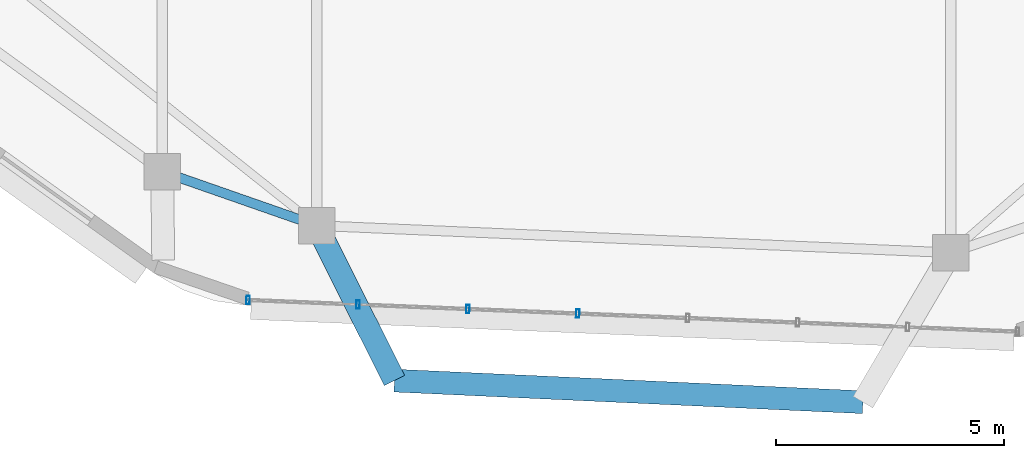
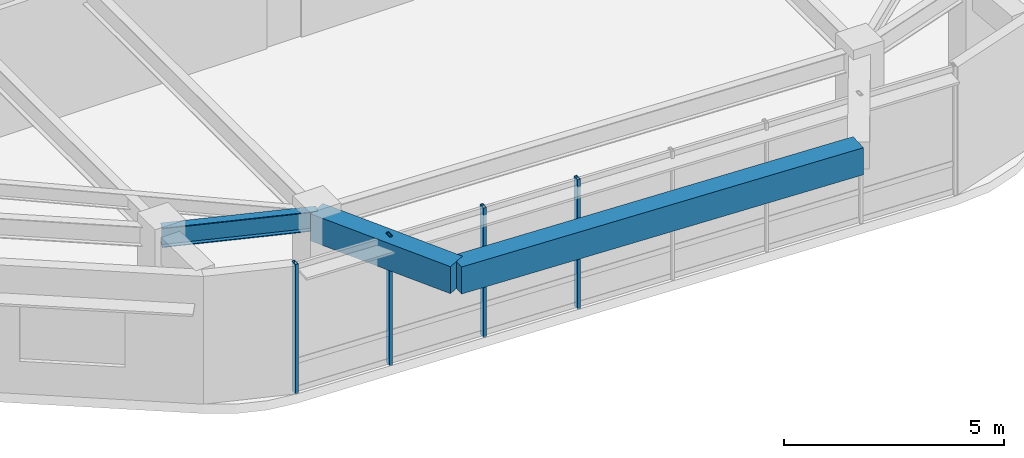
# One storey, part 2 of 13: 4 members, 3 beams, 1 element without a shape of its own.
"""IFC4 building model written with IfcOpenShell, lengths in metres."""

from ifc_helpers import new_model, si_unit, direction, frame, origin, origin_2d, place, context, subcontext, project, spatial, rectangle, hollow_rectangle, i_section, extrude, material, material_profile, profile_set, type_object, element, aggregate, save


model = new_model("IFC4")

# Units and contexts
model_context = context("Model", 3, precision=1e-05, world=origin(), true_north=direction((0.0, 1.0)))
body_context = subcontext(model_context, "Body", "Model", "MODEL_VIEW")
ifc_project = project(units=[si_unit("LENGTHUNIT", "METRE"), si_unit("AREAUNIT", "SQUARE_METRE"), si_unit("VOLUMEUNIT", "CUBIC_METRE"), si_unit("PLANEANGLEUNIT", "RADIAN"), si_unit("MASSUNIT", "GRAM", prefix="KILO")], contexts=[model_context])

# Site, building, storey
site_placement = place(None, origin())
site = spatial("IfcSite", under=ifc_project, at=site_placement, CompositionType="ELEMENT")
building_placement = place(site_placement, origin())
building = spatial("IfcBuilding", under=site, at=building_placement, Name="Zulverin Broadcast Headquarters", CompositionType="ELEMENT")
storey_placement = place(building_placement, frame((0.0, 0.0, 278.199951171875)))
storey = spatial("IfcBuildingStorey", under=building, at=storey_placement, Name="L71", CompositionType="ELEMENT", Elevation=278.199951171875)

# Beams
ifc_material_1 = material(Name="Concrete C40/50", Category="concrete")
ifc_material_profile_1 = material_profile(ifc_material_1, rectangle(XDim=0.5, YDim=0.75, at=origin_2d()), Name="Concrete C40/50", Category="concrete")
ifc_profile_set_1 = profile_set([ifc_material_profile_1], Name="Concrete C40/50")
beam_type_1 = type_object("IfcBeamType", Name="BM-RC-500x750", PredefinedType="BEAM", material=ifc_profile_set_1)
beam_1_placement = place(storey_placement, frame((30.93359375, 4.703125, 3.1650390625), z_axis=(0.448138545503, -0.893964117868, 0.0), x_axis=(0.893964117868, 0.448138545503, 0.0)))
element("IfcBeam", 1, at=beam_1_placement, inside=storey, type_object=beam_type_1, Name="L72 Balcony Column-Framed Cantilever BAL_S-1", PredefinedType="BEAM", context=body_context, shape_type="SweptSolid", body=[
    extrude(rectangle(XDim=0.5, YDim=0.75, at=origin_2d()), origin(), (0.0, 0.0, 1.0), 3.7998046875),
])
beam_2_placement = place(storey_placement, frame((32.636474609375, 1.30615234375, 3.1650390625), z_axis=(0.998939184183, -0.046048955518, 0.0), x_axis=(0.046048955518, 0.998939184183, 0.0)))
element("IfcBeam", 2, at=beam_2_placement, inside=storey, type_object=beam_type_1, Name="L72 Balcony Outer Edge Trimmer Beam BAL_S", PredefinedType="BEAM", context=body_context, shape_type="SweptSolid", body=[
    extrude(rectangle(XDim=0.5, YDim=0.75, at=origin_2d()), origin(), (0.0, 0.0, 1.0), 10.27490234375),
])
ifc_material_2 = material(Name="Structural steel S355JR", Category="steel")
ifc_material_profile_2 = material_profile(ifc_material_2, i_section(OverallWidth=0.2119140625, OverallDepth=0.54443359375, WebThickness=0.0126953125, FlangeThickness=0.021240234375, at=origin_2d()), Name="Structural steel S355JR", Category="steel")
ifc_profile_set_2 = profile_set([ifc_material_profile_2], Name="Structural steel S355JR")
beam_type_2 = type_object("IfcBeamType", Name="BM-UB-533", PredefinedType="SPANDREL", material=ifc_profile_set_2)
beam_3_placement = place(storey_placement, frame((27.54541015625, 5.8857421875, 3.267822265625), z_axis=(0.944140138036, -0.329544230339, 0.0), x_axis=(0.329544230339, 0.944140138036, 0.0)))
element("IfcBeam", 3, at=beam_3_placement, inside=storey, type_object=beam_type_2, Name="L71 Perimeter Spandrel Beam SP-16", PredefinedType="SPANDREL", context=body_context, shape_type="SweptSolid", body=[
    extrude(i_section(OverallWidth=0.2119140625, OverallDepth=0.54443359375, WebThickness=0.0126953125, FlangeThickness=0.021240234375, at=origin_2d()), origin(), (0.0, 0.0, 1.0), 3.588623046875),
])

# Curtain wall, members
ifc_material_3 = material(Name="High-zone solar-control unitised curtain wall", Category="aluminium")
curtain_wall_type = type_object("IfcCurtainWallType", Name="CW-TWR-UPP", PredefinedType="USERDEFINED", material=ifc_material_3)
curtain_wall_placement = place(storey_placement, origin())
curtain_wall = element("IfcCurtainWall", 4, at=curtain_wall_placement, inside=storey, type_object=curtain_wall_type, Name="L71 Unitised Curtain Wall CW-L71-E1", ObjectType="UNITISED CURTAIN WALL", PredefinedType="USERDEFINED")
ifc_material_4 = material(Name="Anodized pale-metal aluminium alloy 6063-T6", Category="aluminium")
ifc_material_profile_3 = material_profile(ifc_material_4, hollow_rectangle(XDim=0.074951171875, YDim=0.179931640625, WallThickness=0.0048828125, at=origin_2d()), Name="Anodized pale-metal aluminium alloy 6063-T6", Category="aluminium")
ifc_profile_set_3 = profile_set([ifc_material_profile_3], Name="Anodized pale-metal aluminium alloy 6063-T6")
member_type = type_object("IfcMemberType", Name="CW-MUL-180", PredefinedType="MULLION", material=ifc_profile_set_3)
member_1_placement = place(storey_placement, frame((29.427490234375, 3.0732421875, -0.030029296875), z_axis=(0.0, 0.0, 1.0), x_axis=(0.99915627139, -0.041070005388, 0.0)))
member_1 = element("IfcMember", 5, at=member_1_placement, type_object=member_type, Name="CW-L71-E1 Mullion 00", PredefinedType="MULLION", context=body_context, shape_type="SweptSolid", body=[
    extrude(hollow_rectangle(XDim=0.074951171875, YDim=0.179931640625, WallThickness=0.0048828125, at=origin_2d()), origin(), (0.0, 0.0, 1.0), 3.60009765625),
])
member_2_placement = place(storey_placement, frame((31.83642578125, 2.974365234375, -0.030029296875), z_axis=(0.0, 0.0, 1.0), x_axis=(0.99915627139, -0.041070005388, 0.0)))
member_2 = element("IfcMember", 6, at=member_2_placement, type_object=member_type, Name="CW-L71-E1 Mullion 01", PredefinedType="MULLION", context=body_context, shape_type="SweptSolid", body=[
    extrude(hollow_rectangle(XDim=0.074951171875, YDim=0.179931640625, WallThickness=0.0048828125, at=origin_2d()), origin(), (0.0, 0.0, 1.0), 3.60009765625),
])
member_3_placement = place(storey_placement, frame((34.2451171875, 2.875244140625, -0.030029296875), z_axis=(0.0, 0.0, 1.0), x_axis=(0.99915627139, -0.041070005388, 0.0)))
member_3 = element("IfcMember", 7, at=member_3_placement, type_object=member_type, Name="CW-L71-E1 Mullion 02", PredefinedType="MULLION", context=body_context, shape_type="SweptSolid", body=[
    extrude(hollow_rectangle(XDim=0.074951171875, YDim=0.179931640625, WallThickness=0.0048828125, at=origin_2d()), origin(), (0.0, 0.0, 1.0), 3.60009765625),
])
member_4_placement = place(storey_placement, frame((36.654052734375, 2.7763671875, -0.030029296875), z_axis=(0.0, 0.0, 1.0), x_axis=(0.99915627139, -0.041070005388, 0.0)))
member_4 = element("IfcMember", 8, at=member_4_placement, type_object=member_type, Name="CW-L71-E1 Mullion 03", PredefinedType="MULLION", context=body_context, shape_type="SweptSolid", body=[
    extrude(hollow_rectangle(XDim=0.074951171875, YDim=0.179931640625, WallThickness=0.0048828125, at=origin_2d()), origin(), (0.0, 0.0, 1.0), 3.60009765625),
])
aggregate(curtain_wall, [member_1, member_2, member_3, member_4])

save(model, "model.ifc")
